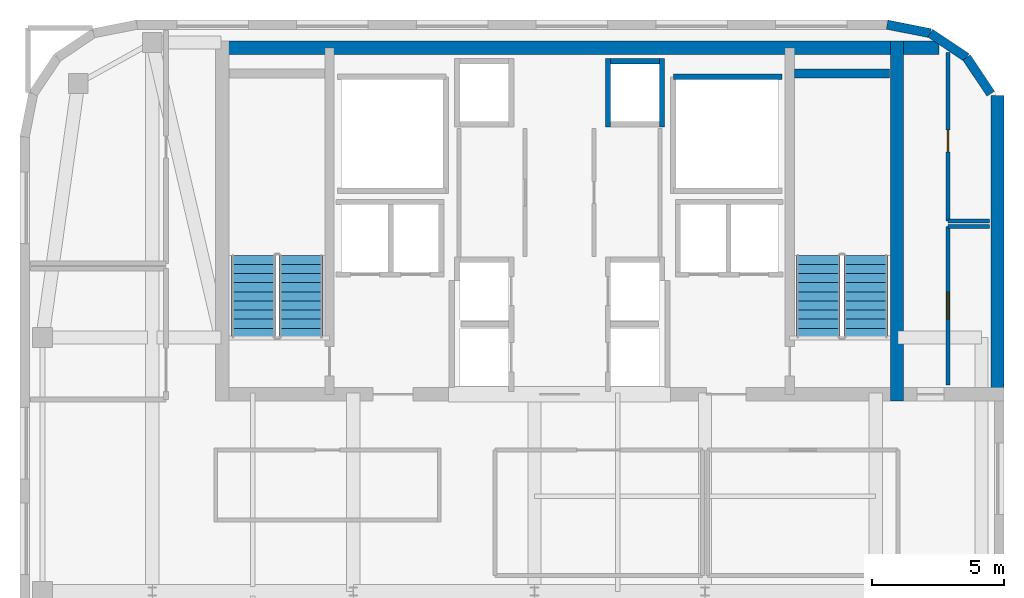
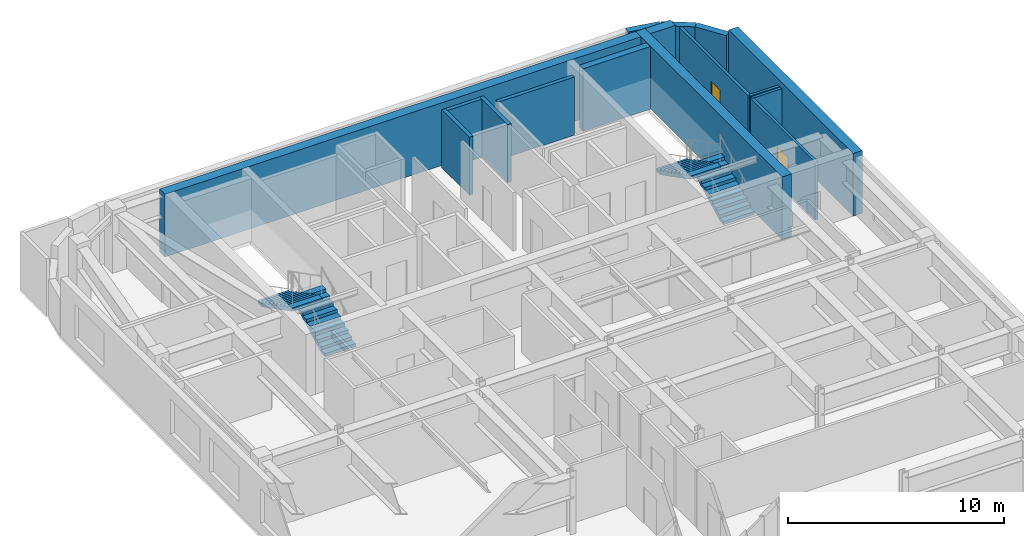
# One storey, part 7 of 8: 16 walls, 4 stair flights, 2 doors, 2 openings, 2 elements without a shape of their own.
"""IFC4 building model written with IfcOpenShell, lengths in metres."""

from ifc_helpers import new_model, si_unit, direction, frame, frame_2d, origin, place, context, subcontext, project, spatial, polyline, rectangle, outline, extrude, source, transform, mapped, material, layer, layer_set, type_object, type_shapes, element, fill, aggregate, save


model = new_model("IFC4")

# Units and contexts
model_context = context("Model", 3, precision=1e-05, world=origin(), true_north=direction((0.0, 1.0)))
body_context = subcontext(model_context, "Body", "Model", "MODEL_VIEW")
ifc_project = project(units=[si_unit("LENGTHUNIT", "METRE"), si_unit("AREAUNIT", "SQUARE_METRE"), si_unit("VOLUMEUNIT", "CUBIC_METRE"), si_unit("PLANEANGLEUNIT", "RADIAN"), si_unit("MASSUNIT", "GRAM", prefix="KILO")], contexts=[model_context])

# Site, building, storey
site_placement = place(None, origin())
site = spatial("IfcSite", under=ifc_project, at=site_placement, CompositionType="ELEMENT")
building_placement = place(site_placement, origin())
building = spatial("IfcBuilding", under=site, at=building_placement, Name="Tolvann Quenvar Hotel", CompositionType="ELEMENT")
storey_placement = place(building_placement, frame((0.0, 0.0, 238.10009765625)))
storey = spatial("IfcBuildingStorey", under=building, at=storey_placement, Name="L63", CompositionType="ELEMENT", Elevation=238.10009765625)

# Walls
ifc_material_1 = material(Name="Concrete N50 (50 MPa)", Category="concrete")
ifc_layer_1 = layer(ifc_material_1, 0.5)
ifc_layer_set_1 = layer_set([ifc_layer_1], Name="Concrete N50 (50 MPa)")
wall_type_1 = type_object("IfcWallType", Name="WALL_CORE_500", PredefinedType="SHEAR", material=ifc_layer_set_1)
wall_1_placement = place(storey_placement, frame((10.0, 44.949951171875, 0.0), z_axis=(0.0, 0.0, 1.0), x_axis=(1.0, 0.0, 0.0)))
element("IfcWall", 1, at=wall_1_placement, inside=storey, type_object=wall_type_1, Name="Rear Core N Shear Wall (L63)", PredefinedType="SHEAR", context=body_context, shape_type="SweptSolid", body=[
    extrude(rectangle(XDim=26.0, YDim=0.5, at=frame_2d((13.0, 0.0))), origin(), (0.0, 0.0, 1.0), 3.5498046875),
])
wall_2_placement = place(storey_placement, frame((35.75, 31.60009765625, 0.0), z_axis=(0.0, 0.0, 1.0), x_axis=(0.0, 1.0, 0.0)))
element("IfcWall", 2, at=wall_2_placement, inside=storey, type_object=wall_type_1, Name="Rear Core E Shear Wall (L63)", PredefinedType="SHEAR", context=body_context, shape_type="SweptSolid", body=[
    extrude(rectangle(XDim=13.599853515625, YDim=0.5, at=frame_2d((6.7998046875, 0.0))), origin(), (0.0, 0.0, 1.0), 3.5498046875),
])
wall_3_placement = place(storey_placement, frame((36.0, 44.949951171875, 0.0), z_axis=(0.0, 0.0, 1.0), x_axis=(1.0, 0.0, 0.0)))
element("IfcWall", 3, at=wall_3_placement, inside=storey, type_object=wall_type_1, Name="Core East Annex Shear Wall ANN-N (L63)", PredefinedType="SHEAR", context=body_context, shape_type="SweptSolid", body=[
    extrude(rectangle(XDim=1.35009765625, YDim=0.5, at=frame_2d((0.675048828125, 0.0))), origin(), (0.0, 0.0, 1.0), 3.5498046875),
])
wall_4_placement = place(storey_placement, frame((39.550048828125, 31.60009765625, 0.0), z_axis=(0.0, 0.0, 1.0), x_axis=(0.0, 1.0, 0.0)))
element("IfcWall", 4, at=wall_4_placement, inside=storey, type_object=wall_type_1, Name="Core East Annex Shear Wall ANN-E (L63)", PredefinedType="SHEAR", context=body_context, shape_type="SweptSolid", body=[
    extrude(rectangle(XDim=11.5498046875, YDim=0.5, at=frame_2d((5.77490234375, 0.0))), origin(), (0.0, 0.0, 1.0), 3.5498046875),
])
ifc_material_2 = material(Name="Concrete S65 (65 MPa)", Category="concrete")
ifc_layer_2 = layer(ifc_material_2, 0.35009765625)
ifc_layer_set_2 = layer_set([ifc_layer_2], Name="Concrete S65 (65 MPa)")
wall_type_2 = type_object("IfcWallType", Name="WALL_CORE_INT_350", PredefinedType="SHEAR", material=ifc_layer_set_2)
wall_5_placement = place(storey_placement, frame((31.8798828125, 43.97509765625, 0.0), z_axis=(0.0, 0.0, 1.0), x_axis=(1.0, 0.0, 0.0)))
element("IfcWall", 5, at=wall_5_placement, inside=storey, type_object=wall_type_2, Name="Core Stair North Closing Shear Wall STC2-N (L63)", PredefinedType="SHEAR", context=body_context, shape_type="SweptSolid", body=[
    extrude(rectangle(XDim=3.60009765625, YDim=0.35009765625, at=frame_2d((1.800048828125, 0.0))), origin(), (0.0, 0.0, 1.0), 3.5498046875),
])
ifc_material_3 = material(Name="Kiln-fired red and buff architectural clay brickwork and terracotta masonry", Category="masonry")
ifc_layer_3 = layer(ifc_material_3, 0.35009765625)
ifc_layer_set_3 = layer_set([ifc_layer_3], Name="Kiln-fired red and buff architectural clay brickwork and terracotta masonry")
wall_type_3 = type_object("IfcWallType", Name="WALL_EXT_BRICK_350", PredefinedType="SOLIDWALL", material=ifc_layer_set_3)
for number, where, z_axis, x_axis, name in (
    (6, (39.30029296875, 43.215576171875, 0.0), (0.0, 0.0, 1.0), (-0.555623290322, 0.831434158098, 0.0), "Exterior Chicago Brick Wall L63-E11"),
    (7, (38.385009765625, 44.585205078125, 0.0), (0.0, 0.0, 1.0), (-0.831502623162, 0.555520825599, 0.0), "Exterior Chicago Brick Wall L63-E12"),
):
    element("IfcWall", number, at=place(storey_placement, frame(where, z_axis=z_axis, x_axis=x_axis)), inside=storey, type_object=wall_type_3, Name=name, PredefinedType="SOLIDWALL", context=body_context, shape_type="SweptSolid", body=[
        extrude(rectangle(XDim=1.647216796875, YDim=0.35009765625, at=frame_2d((0.82373046875, 0.0))), origin(), (0.0, 0.0, 1.0), 3.289794921875),
    ])
wall_6_placement = place(storey_placement, frame((37.015380859375, 45.500244140625, 0.0), z_axis=(0.0, 0.0, 1.0), x_axis=(-0.980788844421, 0.195072403631, 0.0)))
element("IfcWall", 8, at=wall_6_placement, inside=storey, type_object=wall_type_3, Name="Exterior Chicago Brick Wall L63-E13", PredefinedType="SOLIDWALL", context=body_context, shape_type="SweptSolid", body=[
    extrude(rectangle(XDim=1.66455078125, YDim=0.35009765625, at=frame_2d((0.832275390625, 0.0))), origin(), (0.0, 0.0, 1.0), 3.289794921875),
])
ifc_material_4 = material(Name="Acoustic twin-stud fire-rated gypsum plasterboard partition")
ifc_layer_4 = layer(ifc_material_4, 0.14990234375)
ifc_layer_set_4 = layer_set([ifc_layer_4], Name="Acoustic twin-stud fire-rated gypsum plasterboard partition")
wall_type_4 = type_object("IfcWallType", Name="WALL_PART_SUITE_150", PredefinedType="PARTITIONING", material=ifc_layer_set_4)
wall_7_placement = place(storey_placement, frame((37.679931640625, 38.199951171875, 0.0), z_axis=(0.0, 0.0, 1.0), x_axis=(1.0, 0.0, 0.0)))
element("IfcWall", 9, at=wall_7_placement, inside=storey, type_object=wall_type_4, Name="Interior Partition PT-SPC-L63-RECPL-1-N", PredefinedType="PARTITIONING", context=body_context, shape_type="SweptSolid", body=[
    extrude(rectangle(XDim=1.565185546875, YDim=0.14990234375, at=frame_2d((0.78271484375, 0.0))), origin(), (0.0, 0.0, 1.0), 3.289794921875),
])

# Wall, opening, door
wall_8_placement = place(storey_placement, frame((37.679931640625, 32.199951171875, 0.0), z_axis=(0.0, 0.0, 1.0), x_axis=(0.0, 1.0, 0.0)))
wall_8 = element("IfcWall", 10, at=wall_8_placement, inside=storey, type_object=wall_type_4, Name="Interior Partition PT-SPC-L63-RECPL-1-W", PredefinedType="PARTITIONING", context=body_context, shape_type="SweptSolid", body=[
    extrude(rectangle(XDim=6.0, YDim=0.14990234375, at=frame_2d((3.0, 0.0))), origin(), (0.0, 0.0, 1.0), 3.289794921875),
])
opening_1_placement = place(wall_8_placement, frame((2.489990234375, 0.0, 0.0)))
opening_1 = element("IfcOpeningElement", 11, at=opening_1_placement, cuts=wall_8, Name="Opening HD-01", PredefinedType="OPENING", context=body_context, shape_type="SweptSolid", body=[
    extrude(rectangle(XDim=1.02001953125, YDim=2.030029296875, at=frame_2d((0.510009765625, 1.01513671875))), frame((0.0, 0.0849609375, 0.0), z_axis=(0.0, -1.0, 0.0), x_axis=(1.0, 0.0, 0.0)), (0.0, 0.0, 1.0), 0.169921875),
])
ifc_material_5 = material(Name="Pressed galvanised steel fire-rated door set", Category="steel")
door_type_1 = type_object("IfcDoorType", Name="DOOR_BOH_1020", OperationType="NOTDEFINED", PredefinedType="DOOR", material=ifc_material_5)
shared_shape_1 = source(origin(), body_context, "Body", "SweptSolid", [
    extrude(rectangle(XDim=1.02001953125, YDim=2.030029296875, at=frame_2d((0.510009765625, 1.01513671875))), frame((0.0, 0.02490234375, 0.0), z_axis=(0.0, -1.0, 0.0), x_axis=(1.0, 0.0, 0.0)), (0.0, 0.0, 1.0), 0.050048828125),
])
type_shapes(door_type_1, [shared_shape_1])
door_1_placement = place(opening_1_placement, origin())
door_1 = element("IfcDoor", 12, at=door_1_placement, inside=storey, type_object=door_type_1, Name="Interior Door DOOR-SPC-L63-RECPL-1", OperationType="SINGLE_SWING_LEFT", OverallHeight=2.030029296875, OverallWidth=1.02001953125, PredefinedType="DOOR", context=body_context, shape_type="MappedRepresentation", body=[
    mapped(shared_shape_1, transform((0.0, 0.0, 0.0), x_axis=(1.0, 0.0, 0.0), y_axis=(0.0, 1.0, 0.0), z_axis=(0.0, 0.0, 1.0), scale=1.0)),
])
fill(opening_1, door_1)

# Wall
wall_9_placement = place(storey_placement, frame((37.679931640625, 38.39990234375, 0.0), z_axis=(0.0, 0.0, 1.0), x_axis=(1.0, 0.0, 0.0)))
element("IfcWall", 13, at=wall_9_placement, inside=storey, type_object=wall_type_4, Name="Interior Partition PT-SPC-L63-CSE-1-S", PredefinedType="PARTITIONING", context=body_context, shape_type="SweptSolid", body=[
    extrude(rectangle(XDim=1.565185546875, YDim=0.14990234375, at=frame_2d((0.78271484375, 0.0))), origin(), (0.0, 0.0, 1.0), 3.289794921875),
])

# Wall, opening, door
wall_10_placement = place(storey_placement, frame((37.679931640625, 38.39990234375, 0.0), z_axis=(0.0, 0.0, 1.0), x_axis=(0.0, 1.0, 0.0)))
wall_10 = element("IfcWall", 14, at=wall_10_placement, inside=storey, type_object=wall_type_4, Name="Interior Partition PT-SPC-L63-CSE-1-W", PredefinedType="PARTITIONING", context=body_context, shape_type="SweptSolid", body=[
    extrude(rectangle(XDim=6.380126953125, YDim=0.14990234375, at=frame_2d((3.18994140625, 0.0))), origin(), (0.0, 0.0, 1.0), 3.289794921875),
])
opening_2_placement = place(wall_10_placement, frame((2.614990234375, 0.0, 0.0)))
opening_2 = element("IfcOpeningElement", 15, at=opening_2_placement, cuts=wall_10, Name="Opening HD-02", PredefinedType="OPENING", context=body_context, shape_type="SweptSolid", body=[
    extrude(rectangle(XDim=0.820068359375, YDim=2.010009765625, at=frame_2d((0.41015625, 1.0048828125))), frame((0.0, 0.0849609375, 0.0), z_axis=(0.0, -1.0, 0.0), x_axis=(1.0, 0.0, 0.0)), (0.0, 0.0, 1.0), 0.169921875),
])
door_type_2 = type_object("IfcDoorType", Name="DOOR_STORE_820", OperationType="NOTDEFINED", PredefinedType="DOOR", material=ifc_material_5)
shared_shape_2 = source(origin(), body_context, "Body", "SweptSolid", [
    extrude(rectangle(XDim=0.820068359375, YDim=2.010009765625, at=frame_2d((0.41015625, 1.0048828125))), frame((0.0, 0.02490234375, 0.0), z_axis=(0.0, -1.0, 0.0), x_axis=(1.0, 0.0, 0.0)), (0.0, 0.0, 1.0), 0.050048828125),
])
type_shapes(door_type_2, [shared_shape_2])
door_2_placement = place(opening_2_placement, origin())
door_2 = element("IfcDoor", 16, at=door_2_placement, inside=storey, type_object=door_type_2, Name="Interior Door DOOR-SPC-L63-CSE-1", OperationType="SINGLE_SWING_RIGHT", OverallHeight=2.010009765625, OverallWidth=0.820068359375, PredefinedType="DOOR", context=body_context, shape_type="MappedRepresentation", body=[
    mapped(shared_shape_2, transform((0.0, 0.0, 0.0), x_axis=(1.0, 0.0, 0.0), y_axis=(0.0, 1.0, 0.0), z_axis=(0.0, 0.0, 1.0), scale=1.0)),
])
fill(opening_2, door_2)

# Walls
ifc_material_6 = material(Name="Concrete N40 (40 MPa)", Category="concrete")
ifc_layer_5 = layer(ifc_material_6, 0.199951171875)
ifc_layer_set_5 = layer_set([ifc_layer_5], Name="Concrete N40 (40 MPa)")
wall_type_5 = type_object("IfcWallType", Name="WALL_SHAFT_200", PredefinedType="SOLIDWALL", material=ifc_layer_set_5)
wall_11_placement = place(storey_placement, frame((27.300048828125, 43.85009765625, 0.0), z_axis=(0.0, 0.0, 1.0), x_axis=(1.0, 0.0, 0.0)))
element("IfcWall", 17, at=wall_11_placement, inside=storey, type_object=wall_type_5, Name="Service Riser E Shaft Wall N (L63)", PredefinedType="SOLIDWALL", context=body_context, shape_type="SweptSolid", body=[
    extrude(rectangle(XDim=4.099853515625, YDim=0.199951171875, at=frame_2d((2.0498046875, 0.0))), origin(), (0.0, 0.0, 1.0), 3.289794921875),
])
for number, where, z_axis, x_axis, name in (
    (18, (24.830078125, 41.9599609375, 0.0), (0.0, 0.0, 1.0), (0.0, 1.0, 0.0), "Lift Bank W24.9C2 Hoistway Front Wall (L63)"),
    (19, (26.8701171875, 41.9599609375, 0.0), (0.0, 0.0, 1.0), (0.0, 1.0, 0.0), "Lift Bank W24.9C2 Hoistway Rear Wall (L63)"),
):
    element("IfcWall", number, at=place(storey_placement, frame(where, z_axis=z_axis, x_axis=x_axis)), inside=storey, type_object=wall_type_5, Name=name, PredefinedType="SOLIDWALL", context=body_context, shape_type="SweptSolid", body=[
        extrude(rectangle(XDim=2.580078125, YDim=0.199951171875, at=frame_2d((1.2900390625, 0.0))), origin(), (0.0, 0.0, 1.0), 3.289794921875),
    ])
wall_12_placement = place(storey_placement, frame((24.929931640625, 44.43994140625, 0.0), z_axis=(0.0, 0.0, 1.0), x_axis=(1.0, 0.0, 0.0)))
element("IfcWall", 20, at=wall_12_placement, inside=storey, type_object=wall_type_5, Name="Lift Bank W24.9C2 Hoistway Cheek Wall 2 (L63)", PredefinedType="SOLIDWALL", context=body_context, shape_type="SweptSolid", body=[
    extrude(rectangle(XDim=1.840087890625, YDim=0.199951171875, at=frame_2d((0.919921875, 0.0))), origin(), (0.0, 0.0, 1.0), 3.289794921875),
])

# Stair, stair flights
stair_type = type_object("IfcStairType", Name="STAIR", PredefinedType="HALF_TURN_STAIR", material=ifc_material_6)
stair_1_placement = place(storey_placement, origin())
stair_1 = element("IfcStair", 21, at=stair_1_placement, inside=storey, type_object=stair_type, Name="L63 ST-C1", PredefinedType="HALF_TURN_STAIR")
stair_flight_type = type_object("IfcStairFlightType", Name="STAIR_FLIGHT", PredefinedType="STRAIGHT", material=ifc_material_6)
stair_flight_1_placement = place(storey_placement, frame((13.22509765625, 34.0, 0.0), z_axis=(0.0, 0.0, 1.0), x_axis=(0.0, 1.0, 0.0)))
stair_flight_1 = element("IfcStairFlight", 22, at=stair_flight_1_placement, type_object=stair_flight_type, Name="ST-C1 flight 1", NumberOfRisers=10, NumberOfTreads=9, PredefinedType="STRAIGHT", RiserHeight=0.1775, TreadLength=0.345, context=body_context, shape_type="SweptSolid", body=[
    extrude(outline(polyline([(0.0, 0.0), (0.0, 0.177490234375), (0.344970703125, 0.177490234375), (0.344970703125, 0.35498046875), (0.68994140625, 0.35498046875), (0.68994140625, 0.532470703125), (1.034912109375, 0.532470703125), (1.034912109375, 0.7099609375), (1.3798828125, 0.7099609375), (1.3798828125, 0.887451171875), (1.72509765625, 0.887451171875), (1.72509765625, 1.06494140625), (2.070068359375, 1.06494140625), (2.070068359375, 1.242431640625), (2.4150390625, 1.242431640625), (2.4150390625, 1.419921875), (2.760009765625, 1.419921875), (2.760009765625, 1.597412109375), (3.10498046875, 1.597412109375), (3.10498046875, 1.77490234375), (3.10498046875, 1.428955078125), (0.32763671875, 0.0), (0.0, 0.0)])), frame((0.0, 0.824951171875, 0.0), z_axis=(0.0, -1.0, 0.0), x_axis=(1.0, 0.0, 0.0)), (0.0, 0.0, 1.0), 1.64990234375),
])
stair_flight_2_placement = place(storey_placement, frame((11.425048828125, 37.10498046875, 1.77490234375), z_axis=(0.0, 0.0, 1.0), x_axis=(0.0, -1.0, 0.0)))
stair_flight_2 = element("IfcStairFlight", 23, at=stair_flight_2_placement, type_object=stair_flight_type, Name="ST-C1 flight 2", NumberOfRisers=10, NumberOfTreads=9, PredefinedType="STRAIGHT", RiserHeight=0.1775, TreadLength=0.345, context=body_context, shape_type="SweptSolid", body=[
    extrude(outline(polyline([(0.0, 0.0), (0.0, 0.177490234375), (0.344970703125, 0.177490234375), (0.344970703125, 0.35498046875), (0.68994140625, 0.35498046875), (0.68994140625, 0.532470703125), (1.034912109375, 0.532470703125), (1.034912109375, 0.7099609375), (1.3798828125, 0.7099609375), (1.3798828125, 0.887451171875), (1.72509765625, 0.887451171875), (1.72509765625, 1.06494140625), (2.070068359375, 1.06494140625), (2.070068359375, 1.242431640625), (2.4150390625, 1.242431640625), (2.4150390625, 1.419921875), (2.760009765625, 1.419921875), (2.760009765625, 1.597412109375), (3.10498046875, 1.597412109375), (3.10498046875, 1.77490234375), (3.10498046875, 1.428955078125), (0.32763671875, 0.0), (0.0, 0.0)])), frame((0.0, 0.824951171875, 0.0), z_axis=(0.0, -1.0, 0.0), x_axis=(1.0, 0.0, 0.0)), (0.0, 0.0, 1.0), 1.64990234375),
])
aggregate(stair_1, [stair_flight_1, stair_flight_2])

stair_2_placement = place(storey_placement, origin())
stair_2 = element("IfcStair", 24, at=stair_2_placement, inside=storey, type_object=stair_type, Name="L63 ST-C2", PredefinedType="HALF_TURN_STAIR")
stair_flight_3_placement = place(storey_placement, frame((34.574951171875, 34.0, 0.0), z_axis=(0.0, 0.0, 1.0), x_axis=(0.0, 1.0, 0.0)))
stair_flight_3 = element("IfcStairFlight", 25, at=stair_flight_3_placement, type_object=stair_flight_type, Name="ST-C2 flight 1", NumberOfRisers=10, NumberOfTreads=9, PredefinedType="STRAIGHT", RiserHeight=0.1775, TreadLength=0.345, context=body_context, shape_type="SweptSolid", body=[
    extrude(outline(polyline([(0.0, 0.0), (0.0, 0.177490234375), (0.344970703125, 0.177490234375), (0.344970703125, 0.35498046875), (0.68994140625, 0.35498046875), (0.68994140625, 0.532470703125), (1.034912109375, 0.532470703125), (1.034912109375, 0.7099609375), (1.3798828125, 0.7099609375), (1.3798828125, 0.887451171875), (1.72509765625, 0.887451171875), (1.72509765625, 1.06494140625), (2.070068359375, 1.06494140625), (2.070068359375, 1.242431640625), (2.4150390625, 1.242431640625), (2.4150390625, 1.419921875), (2.760009765625, 1.419921875), (2.760009765625, 1.597412109375), (3.10498046875, 1.597412109375), (3.10498046875, 1.77490234375), (3.10498046875, 1.428955078125), (0.32763671875, 0.0), (0.0, 0.0)])), frame((0.0, 0.824951171875, 0.0), z_axis=(0.0, -1.0, 0.0), x_axis=(1.0, 0.0, 0.0)), (0.0, 0.0, 1.0), 1.64990234375),
])
stair_flight_4_placement = place(storey_placement, frame((32.77490234375, 37.10498046875, 1.77490234375), z_axis=(0.0, 0.0, 1.0), x_axis=(0.0, -1.0, 0.0)))
stair_flight_4 = element("IfcStairFlight", 26, at=stair_flight_4_placement, type_object=stair_flight_type, Name="ST-C2 flight 2", NumberOfRisers=10, NumberOfTreads=9, PredefinedType="STRAIGHT", RiserHeight=0.1775, TreadLength=0.345, context=body_context, shape_type="SweptSolid", body=[
    extrude(outline(polyline([(0.0, 0.0), (0.0, 0.177490234375), (0.344970703125, 0.177490234375), (0.344970703125, 0.35498046875), (0.68994140625, 0.35498046875), (0.68994140625, 0.532470703125), (1.034912109375, 0.532470703125), (1.034912109375, 0.7099609375), (1.3798828125, 0.7099609375), (1.3798828125, 0.887451171875), (1.72509765625, 0.887451171875), (1.72509765625, 1.06494140625), (2.070068359375, 1.06494140625), (2.070068359375, 1.242431640625), (2.4150390625, 1.242431640625), (2.4150390625, 1.419921875), (2.760009765625, 1.419921875), (2.760009765625, 1.597412109375), (3.10498046875, 1.597412109375), (3.10498046875, 1.77490234375), (3.10498046875, 1.428955078125), (0.32763671875, 0.0), (0.0, 0.0)])), frame((0.0, 0.824951171875, 0.0), z_axis=(0.0, -1.0, 0.0), x_axis=(1.0, 0.0, 0.0)), (0.0, 0.0, 1.0), 1.64990234375),
])
aggregate(stair_2, [stair_flight_3, stair_flight_4])

save(model, "model.ifc")
